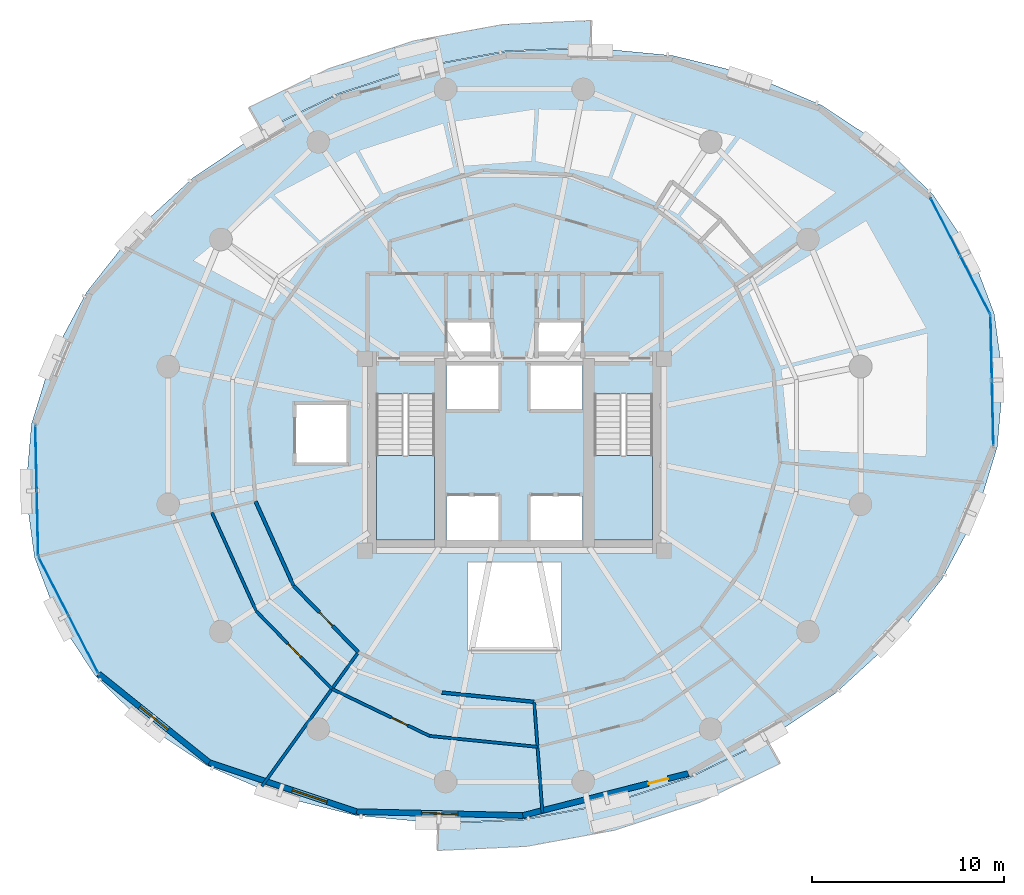
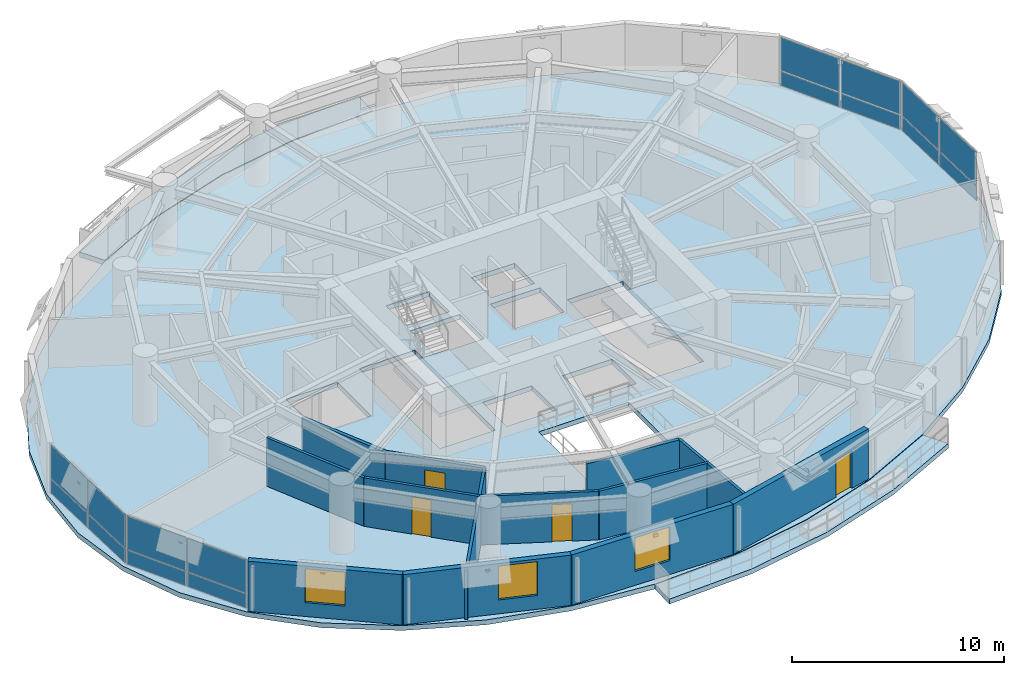
# One storey, part 9 of 15: 16 plates, 13 walls, 5 slabs, 4 doors, 3 windows, 7 openings, 6 elements without a shape of their own.
"""IFC4 building model written with IfcOpenShell, lengths in metres."""

from ifc_helpers import new_model, si_unit, direction, frame, frame_2d, origin, origin_2d, place, context, subcontext, project, spatial, polyline, rectangle, outline, extrude, material, layer, layer_set, type_object, element, fill, aggregate, save


model = new_model("IFC4")

# Units and contexts
model_context = context("Model", 3, precision=1e-05, world=origin(), true_north=direction((0.0, 1.0)))
body_context = subcontext(model_context, "Body", "Model", "MODEL_VIEW")
ifc_project = project(units=[si_unit("LENGTHUNIT", "METRE"), si_unit("AREAUNIT", "SQUARE_METRE"), si_unit("VOLUMEUNIT", "CUBIC_METRE"), si_unit("PLANEANGLEUNIT", "RADIAN"), si_unit("MASSUNIT", "GRAM", prefix="KILO"), si_unit("THERMODYNAMICTEMPERATUREUNIT", "KELVIN"), si_unit("POWERUNIT", "WATT")], contexts=[model_context])

# Site, building, storey
site_placement = place(None, origin())
site = spatial("IfcSite", under=ifc_project, at=site_placement, CompositionType="ELEMENT")
building_placement = place(site_placement, origin())
building = spatial("IfcBuilding", under=site, at=building_placement, Name="Ocrelia Relay Tower", CompositionType="ELEMENT")
storey_placement = place(building_placement, frame((0.0, 0.0, 93.800048828125)))
storey = spatial("IfcBuildingStorey", under=building, at=storey_placement, Name="L21", CompositionType="ELEMENT", Elevation=93.800048828125)

# Curtain wall, plates
ifc_material_1 = material(Name="Aluminium and solar-control low-E glass", Category="aluminium")
ifc_layer_1 = layer(ifc_material_1, 0.179931640625, Name="Aluminium and solar-control low-E glass")
ifc_layer_set_1 = layer_set([ifc_layer_1], Name="Aluminium and solar-control low-E glass")
curtain_wall_type = type_object("IfcCurtainWallType", Name="CW-SYS-Z2-SWIT", PredefinedType="NOTDEFINED", material=ifc_layer_set_1)
curtain_wall_1_placement = place(storey_placement, origin())
curtain_wall_1 = element("IfcCurtainWall", 1, at=curtain_wall_1_placement, inside=storey, type_object=curtain_wall_type, Name="L21 Elliptical Tower Curtain Wall Bay 01", PredefinedType="NOTDEFINED")
ifc_material_2 = material(Name="Clear double-glazed low-E glass", Category="glass")
ifc_layer_2 = layer(ifc_material_2, 0.031982421875, Name="Clear double-glazed low-E glass")
ifc_layer_set_2 = layer_set([ifc_layer_2], Name="Clear double-glazed low-E glass")
plate_type = type_object("IfcPlateType", Name="CW-SYS-Z2-SWIT-PNL", PredefinedType="CURTAIN_PANEL", material=ifc_layer_set_2)
plate_1_placement = place(storey_placement, frame((58.017578125, 33.846435546875, 0.059814453125), z_axis=(0.0, 0.0, 1.0), x_axis=(-0.457400894292, 0.889260604042, 0.0)))
plate_1 = element("IfcPlate", 2, at=plate_1_placement, type_object=plate_type, Name="CW-Z2 panel 1.1", PredefinedType="CURTAIN_PANEL", context=body_context, shape_type="SweptSolid", body=[
    extrude(rectangle(XDim=3.33447265625, YDim=0.031982421875, at=origin_2d()), origin(), (0.0, 0.0, 1.0), 0.81005859375),
])
plate_2_placement = place(storey_placement, frame((58.017578125, 33.846435546875, 0.93017578125), z_axis=(0.0, 0.0, 1.0), x_axis=(-0.457400894292, 0.889260604042, 0.0)))
plate_2 = element("IfcPlate", 3, at=plate_2_placement, type_object=plate_type, Name="CW-Z2 panel 1.2", PredefinedType="CURTAIN_PANEL", context=body_context, shape_type="SweptSolid", body=[
    extrude(rectangle(XDim=3.33447265625, YDim=0.031982421875, at=origin_2d()), origin(), (0.0, 0.0, 1.0), 1.909912109375),
])
plate_3_placement = place(storey_placement, frame((56.46044921875, 36.8740234375, 0.059814453125), z_axis=(0.0, 0.0, 1.0), x_axis=(-0.457400894292, 0.889260604042, 0.0)))
plate_3 = element("IfcPlate", 4, at=plate_3_placement, type_object=plate_type, Name="CW-Z2 panel 2.1", PredefinedType="CURTAIN_PANEL", context=body_context, shape_type="SweptSolid", body=[
    extrude(rectangle(XDim=3.33447265625, YDim=0.031982421875, at=origin_2d()), origin(), (0.0, 0.0, 1.0), 0.81005859375),
])
plate_4_placement = place(storey_placement, frame((56.46044921875, 36.8740234375, 0.93017578125), z_axis=(0.0, 0.0, 1.0), x_axis=(-0.457400894292, 0.889260604042, 0.0)))
plate_4 = element("IfcPlate", 5, at=plate_4_placement, type_object=plate_type, Name="CW-Z2 panel 2.2", PredefinedType="CURTAIN_PANEL", context=body_context, shape_type="SweptSolid", body=[
    extrude(rectangle(XDim=3.33447265625, YDim=0.031982421875, at=origin_2d()), origin(), (0.0, 0.0, 1.0), 1.909912109375),
])
aggregate(curtain_wall_1, [plate_1, plate_2, plate_3, plate_4])

curtain_wall_2_placement = place(storey_placement, origin())
curtain_wall_2 = element("IfcCurtainWall", 6, at=curtain_wall_2_placement, inside=storey, type_object=curtain_wall_type, Name="L21 Elliptical Tower Curtain Wall Bay 09", PredefinedType="NOTDEFINED")
plate_5_placement = place(storey_placement, frame((9.07275390625, 24.8388671875, 0.059814453125), z_axis=(0.0, 0.0, 1.0), x_axis=(0.02235783737, -0.999750032312, 0.0)))
plate_5 = element("IfcPlate", 7, at=plate_5_placement, type_object=plate_type, Name="CW-Z2 panel 1.1", PredefinedType="CURTAIN_PANEL", context=body_context, shape_type="SweptSolid", body=[
    extrude(rectangle(XDim=3.33447265625, YDim=0.031982421875, at=origin_2d()), origin(), (0.0, 0.0, 1.0), 0.81005859375),
])
plate_6_placement = place(storey_placement, frame((9.07275390625, 24.8388671875, 0.93017578125), z_axis=(0.0, 0.0, 1.0), x_axis=(0.02235783737, -0.999750032312, 0.0)))
plate_6 = element("IfcPlate", 8, at=plate_6_placement, type_object=plate_type, Name="CW-Z2 panel 1.2", PredefinedType="CURTAIN_PANEL", context=body_context, shape_type="SweptSolid", body=[
    extrude(rectangle(XDim=3.33447265625, YDim=0.031982421875, at=origin_2d()), origin(), (0.0, 0.0, 1.0), 1.909912109375),
])
plate_7_placement = place(storey_placement, frame((9.14892578125, 21.435302734375, 0.059814453125), z_axis=(0.0, 0.0, 1.0), x_axis=(0.02235783737, -0.999750032312, 0.0)))
plate_7 = element("IfcPlate", 9, at=plate_7_placement, type_object=plate_type, Name="CW-Z2 panel 2.1", PredefinedType="CURTAIN_PANEL", context=body_context, shape_type="SweptSolid", body=[
    extrude(rectangle(XDim=3.33447265625, YDim=0.031982421875, at=origin_2d()), origin(), (0.0, 0.0, 1.0), 0.81005859375),
])
plate_8_placement = place(storey_placement, frame((9.14892578125, 21.435302734375, 0.93017578125), z_axis=(0.0, 0.0, 1.0), x_axis=(0.02235783737, -0.999750032312, 0.0)))
plate_8 = element("IfcPlate", 10, at=plate_8_placement, type_object=plate_type, Name="CW-Z2 panel 2.2", PredefinedType="CURTAIN_PANEL", context=body_context, shape_type="SweptSolid", body=[
    extrude(rectangle(XDim=3.33447265625, YDim=0.031982421875, at=origin_2d()), origin(), (0.0, 0.0, 1.0), 1.909912109375),
])
aggregate(curtain_wall_2, [plate_5, plate_6, plate_7, plate_8])

curtain_wall_3_placement = place(storey_placement, origin())
curtain_wall_3 = element("IfcCurtainWall", 11, at=curtain_wall_3_placement, inside=storey, type_object=curtain_wall_type, Name="L21 Elliptical Tower Curtain Wall Bay 10", PredefinedType="NOTDEFINED")
plate_9_placement = place(storey_placement, frame((9.982421875, 18.153564453125, 0.059814453125), z_axis=(0.0, 0.0, 1.0), x_axis=(0.457400894292, -0.889260604042, 0.0)))
plate_9 = element("IfcPlate", 12, at=plate_9_placement, type_object=plate_type, Name="CW-Z2 panel 1.1", PredefinedType="CURTAIN_PANEL", context=body_context, shape_type="SweptSolid", body=[
    extrude(rectangle(XDim=3.33447265625, YDim=0.031982421875, at=origin_2d()), origin(), (0.0, 0.0, 1.0), 0.81005859375),
])
plate_10_placement = place(storey_placement, frame((9.982421875, 18.153564453125, 0.93017578125), z_axis=(0.0, 0.0, 1.0), x_axis=(0.457400894292, -0.889260604042, 0.0)))
plate_10 = element("IfcPlate", 13, at=plate_10_placement, type_object=plate_type, Name="CW-Z2 panel 1.2", PredefinedType="CURTAIN_PANEL", context=body_context, shape_type="SweptSolid", body=[
    extrude(rectangle(XDim=3.33447265625, YDim=0.031982421875, at=origin_2d()), origin(), (0.0, 0.0, 1.0), 1.909912109375),
])
plate_11_placement = place(storey_placement, frame((11.53955078125, 15.1259765625, 0.059814453125), z_axis=(0.0, 0.0, 1.0), x_axis=(0.457400894292, -0.889260604042, 0.0)))
plate_11 = element("IfcPlate", 14, at=plate_11_placement, type_object=plate_type, Name="CW-Z2 panel 2.1", PredefinedType="CURTAIN_PANEL", context=body_context, shape_type="SweptSolid", body=[
    extrude(rectangle(XDim=3.33447265625, YDim=0.031982421875, at=origin_2d()), origin(), (0.0, 0.0, 1.0), 0.81005859375),
])
plate_12_placement = place(storey_placement, frame((11.53955078125, 15.1259765625, 0.93017578125), z_axis=(0.0, 0.0, 1.0), x_axis=(0.457400894292, -0.889260604042, 0.0)))
plate_12 = element("IfcPlate", 15, at=plate_12_placement, type_object=plate_type, Name="CW-Z2 panel 2.2", PredefinedType="CURTAIN_PANEL", context=body_context, shape_type="SweptSolid", body=[
    extrude(rectangle(XDim=3.33447265625, YDim=0.031982421875, at=origin_2d()), origin(), (0.0, 0.0, 1.0), 1.909912109375),
])
aggregate(curtain_wall_3, [plate_9, plate_10, plate_11, plate_12])

curtain_wall_4_placement = place(storey_placement, origin())
curtain_wall_4 = element("IfcCurtainWall", 16, at=curtain_wall_4_placement, inside=storey, type_object=curtain_wall_type, Name="L21 Elliptical Tower Curtain Wall Bay 18", PredefinedType="NOTDEFINED")
plate_13_placement = place(storey_placement, frame((58.92724609375, 27.1611328125, 0.059814453125), z_axis=(0.0, 0.0, 1.0), x_axis=(-0.02235783737, 0.999750032312, 0.0)))
plate_13 = element("IfcPlate", 17, at=plate_13_placement, type_object=plate_type, Name="CW-Z2 panel 1.1", PredefinedType="CURTAIN_PANEL", context=body_context, shape_type="SweptSolid", body=[
    extrude(rectangle(XDim=3.33447265625, YDim=0.031982421875, at=origin_2d()), origin(), (0.0, 0.0, 1.0), 0.81005859375),
])
plate_14_placement = place(storey_placement, frame((58.92724609375, 27.1611328125, 0.93017578125), z_axis=(0.0, 0.0, 1.0), x_axis=(-0.02235783737, 0.999750032312, 0.0)))
plate_14 = element("IfcPlate", 18, at=plate_14_placement, type_object=plate_type, Name="CW-Z2 panel 1.2", PredefinedType="CURTAIN_PANEL", context=body_context, shape_type="SweptSolid", body=[
    extrude(rectangle(XDim=3.33447265625, YDim=0.031982421875, at=origin_2d()), origin(), (0.0, 0.0, 1.0), 1.909912109375),
])
plate_15_placement = place(storey_placement, frame((58.85107421875, 30.564697265625, 0.059814453125), z_axis=(0.0, 0.0, 1.0), x_axis=(-0.02235783737, 0.999750032312, 0.0)))
plate_15 = element("IfcPlate", 19, at=plate_15_placement, type_object=plate_type, Name="CW-Z2 panel 2.1", PredefinedType="CURTAIN_PANEL", context=body_context, shape_type="SweptSolid", body=[
    extrude(rectangle(XDim=3.33447265625, YDim=0.031982421875, at=origin_2d()), origin(), (0.0, 0.0, 1.0), 0.81005859375),
])
plate_16_placement = place(storey_placement, frame((58.85107421875, 30.564697265625, 0.93017578125), z_axis=(0.0, 0.0, 1.0), x_axis=(-0.02235783737, 0.999750032312, 0.0)))
plate_16 = element("IfcPlate", 20, at=plate_16_placement, type_object=plate_type, Name="CW-Z2 panel 2.2", PredefinedType="CURTAIN_PANEL", context=body_context, shape_type="SweptSolid", body=[
    extrude(rectangle(XDim=3.33447265625, YDim=0.031982421875, at=origin_2d()), origin(), (0.0, 0.0, 1.0), 1.909912109375),
])
aggregate(curtain_wall_4, [plate_13, plate_14, plate_15, plate_16])

# Slabs
ifc_material_3 = material(Name="Precast concrete C40/50", Category="concrete")
ifc_layer_3 = layer(ifc_material_3, 0.280029296875, Name="Precast concrete C40/50")
ifc_layer_set_3 = layer_set([ifc_layer_3], Name="Precast concrete C40/50")
slab_type_1 = type_object("IfcSlabType", Name="SL-BALC-280", PredefinedType="FLOOR", material=ifc_layer_set_3)
slab_1_placement = place(storey_placement, frame((0.0, 0.0, -0.280029296875)))
element("IfcSlab", 21, at=slab_1_placement, inside=storey, type_object=slab_type_1, Name="L21 Planted Loggia Balcony B1", PredefinedType="FLOOR", context=body_context, shape_type="SweptSolid", body=[
    extrude(outline(polyline([(37.973388671875, 46.235595703125), (35.756103515625, 46.1337890625), (33.5390625, 46.031982421875), (29.118896484375, 45.219970703125), (24.8466796875, 43.82421875), (22.849609375, 42.85595703125), (20.8525390625, 41.887451171875), (20.15771484375, 43.09521484375), (22.241455078125, 44.105712890625), (24.3251953125, 45.1162109375), (28.77587890625, 46.5703125), (33.380859375, 47.416015625), (35.694091796875, 47.5224609375), (38.007568359375, 47.628662109375), (37.973388671875, 46.235595703125)])), origin(), (0.0, 0.0, 1.0), 0.280029296875),
])
slab_2_placement = place(storey_placement, frame((0.0, 0.0, -0.280029296875)))
element("IfcSlab", 22, at=slab_2_placement, inside=storey, type_object=slab_type_1, Name="L21 Planted Loggia Balcony B2", PredefinedType="FLOOR", context=body_context, shape_type="SweptSolid", body=[
    extrude(outline(polyline([(30.026611328125, 5.764404296875), (32.24365234375, 5.8662109375), (34.4609375, 5.968017578125), (38.881103515625, 6.780029296875), (43.1533203125, 8.17578125), (45.150390625, 9.14404296875), (47.1474609375, 10.112548828125), (47.84228515625, 8.90478515625), (45.758544921875, 7.894287109375), (43.6748046875, 6.8837890625), (39.22412109375, 5.4296875), (34.619140625, 4.583984375), (32.305908203125, 4.477783203125), (29.992431640625, 4.371337890625), (30.026611328125, 5.764404296875)])), origin(), (0.0, 0.0, 1.0), 0.280029296875),
])
ifc_material_4 = material(Name="Concrete C50/60", Category="concrete")
ifc_layer_4 = layer(ifc_material_4, 0.280029296875, Name="Concrete C50/60")
ifc_layer_set_4 = layer_set([ifc_layer_4], Name="Concrete C50/60")
slab_type_2 = type_object("IfcSlabType", Name="SL-FLR-280", PredefinedType="FLOOR", material=ifc_layer_set_4)
slab_3_placement = place(storey_placement, frame((0.0, 0.0, -0.280029296875)))
element("IfcSlab", 23, at=slab_3_placement, inside=storey, type_object=slab_type_2, Name="L21 Elliptical Tower Floor Slab", PredefinedType="FLOOR", context=body_context, shape_type="SweptSolid", body=[
    extrude(outline(polyline([(59.006103515625, 32.350830078125), (57.77978515625, 35.586669921875), (55.831298828125, 38.531494140625), (53.218994140625, 41.09521484375), (50.02294921875, 43.20068359375), (46.340087890625, 44.783203125), (42.2822265625, 45.795166015625), (37.97265625, 46.20556640625), (33.54248046875, 46.001953125), (29.126220703125, 45.19091796875), (24.85791015625, 43.79638671875), (20.867431640625, 41.861328125), (17.276123046875, 39.4443359375), (14.19287109375, 36.618896484375), (11.711181640625, 33.470703125), (9.906982421875, 30.095458984375), (8.8349609375, 26.595947265625), (8.52734375, 23.078125), (8.993896484375, 19.649169921875), (10.22021484375, 16.413330078125), (12.168701171875, 13.468505859375), (14.781005859375, 10.90478515625), (17.97705078125, 8.79931640625), (21.659912109375, 7.216796875), (25.7177734375, 6.204833984375), (30.02734375, 5.79443359375), (34.45751953125, 5.998046875), (38.873779296875, 6.80908203125), (43.14208984375, 8.20361328125), (47.132568359375, 10.138671875), (50.723876953125, 12.5556640625), (53.80712890625, 15.381103515625), (56.288818359375, 18.529296875), (58.093017578125, 21.904541015625), (59.1650390625, 25.404052734375), (59.47265625, 28.921875), (59.006103515625, 32.350830078125)]), holes=[polyline([(26.81005859375, 28.14990234375), (26.81005859375, 20.550048828125), (29.85009765625, 20.550048828125), (29.85009765625, 28.14990234375), (26.81005859375, 28.14990234375)]), polyline([(38.159912109375, 28.14990234375), (38.159912109375, 20.550048828125), (41.199951171875, 20.550048828125), (41.199951171875, 28.14990234375), (38.159912109375, 28.14990234375)]), polyline([(30.4599609375, 20.550048828125), (33.159912109375, 20.550048828125), (33.159912109375, 22.85009765625), (30.4599609375, 22.85009765625), (30.4599609375, 20.550048828125)]), polyline([(34.840087890625, 20.550048828125), (37.5400390625, 20.550048828125), (37.5400390625, 22.85009765625), (34.840087890625, 22.85009765625), (34.840087890625, 20.550048828125)]), polyline([(30.4599609375, 27.35009765625), (33.159912109375, 27.35009765625), (33.159912109375, 29.64990234375), (30.4599609375, 29.64990234375), (30.4599609375, 27.35009765625)]), polyline([(34.840087890625, 27.35009765625), (37.5400390625, 27.35009765625), (37.5400390625, 29.64990234375), (34.840087890625, 29.64990234375), (34.840087890625, 27.35009765625)]), polyline([(30.5, 30.10009765625), (32.85009765625, 30.10009765625), (32.85009765625, 32.0), (30.5, 32.0), (30.5, 30.10009765625)]), polyline([(35.14990234375, 30.10009765625), (37.5, 30.10009765625), (37.5, 32.0), (35.14990234375, 32.0), (35.14990234375, 30.10009765625)]), polyline([(22.550048828125, 24.5), (25.35009765625, 24.5), (25.35009765625, 27.699951171875), (22.550048828125, 27.699951171875), (22.550048828125, 24.5)]), polyline([(31.550048828125, 14.800048828125), (36.449951171875, 14.800048828125), (36.449951171875, 19.39990234375), (31.550048828125, 19.39990234375), (31.550048828125, 14.800048828125)])]), origin(), (0.0, 0.0, 1.0), 0.280029296875),
])

# Stair, slab
stair_type = type_object("IfcStairType", Name="ST-DL-1420-R167", PredefinedType="HALF_TURN_STAIR", material=ifc_material_4)
stair_1_placement = place(storey_placement, origin())
stair_1 = element("IfcStair", 24, at=stair_1_placement, inside=storey, type_object=stair_type, Name="L21 West Core Exit Stair ST1", PredefinedType="HALF_TURN_STAIR")
ifc_layer_5 = layer(ifc_material_4, 0.199951171875, Name="Concrete C50/60")
ifc_layer_set_5 = layer_set([ifc_layer_5], Name="Concrete C50/60")
slab_type_3 = type_object("IfcSlabType", Name="SL-LANDING-200", PredefinedType="LANDING", material=ifc_layer_set_5)
slab_4_placement = place(storey_placement, frame((0.0, 0.0, 1.800048828125)))
slab_4 = element("IfcSlab", 25, at=slab_4_placement, type_object=slab_type_3, Name="ST1 landing 1", PredefinedType="LANDING", context=body_context, shape_type="SweptSolid", body=[
    extrude(outline(polyline([(26.81005859375, 24.9599609375), (26.81005859375, 20.550048828125), (29.85009765625, 20.550048828125), (29.85009765625, 24.9599609375), (26.81005859375, 24.9599609375)])), origin(), (0.0, 0.0, 1.0), 0.199951171875),
])
aggregate(stair_1, [slab_4])

stair_2_placement = place(storey_placement, origin())
stair_2 = element("IfcStair", 26, at=stair_2_placement, inside=storey, type_object=stair_type, Name="L21 East Core Exit Stair ST2", PredefinedType="HALF_TURN_STAIR")
slab_5_placement = place(storey_placement, frame((0.0, 0.0, 1.800048828125)))
slab_5 = element("IfcSlab", 27, at=slab_5_placement, type_object=slab_type_3, Name="ST2 landing 1", PredefinedType="LANDING", context=body_context, shape_type="SweptSolid", body=[
    extrude(outline(polyline([(38.159912109375, 24.9599609375), (38.159912109375, 20.550048828125), (41.199951171875, 20.550048828125), (41.199951171875, 24.9599609375), (38.159912109375, 24.9599609375)])), origin(), (0.0, 0.0, 1.0), 0.199951171875),
])
aggregate(stair_2, [slab_5])

# Wall
ifc_material_5 = material(Name="Gypsum Fireboard Partition EI60", Category="gypsum")
ifc_layer_6 = layer(ifc_material_5, 0.179931640625, Name="Gypsum Fireboard Partition EI60")
ifc_layer_set_6 = layer_set([ifc_layer_6], Name="Gypsum Fireboard Partition EI60")
wall_type_1 = type_object("IfcWallType", Name="W-CORR-EI60-180", PredefinedType="PARTITIONING", material=ifc_layer_set_6)
wall_1_placement = place(storey_placement, frame((20.50830078125, 22.573486328125, 0.0), z_axis=(0.0, 0.0, 1.0), x_axis=(0.410730020243, -0.911757012845, 0.0)))
element("IfcWall", 28, at=wall_1_placement, inside=storey, type_object=wall_type_1, Name="L21 Optical Routing Office B Corridor Partition 1", PredefinedType="PARTITIONING", context=body_context, shape_type="SweptSolid", body=[
    extrude(rectangle(XDim=4.834228515625, YDim=0.179931640625, at=frame_2d((2.4169921875, 0.0))), origin(), (0.0, 0.0, 1.0), 2.800048828125),
])

# Wall, opening, door
wall_2_placement = place(storey_placement, frame((22.493896484375, 18.165771484375, 0.0), z_axis=(0.0, 0.0, 1.0), x_axis=(0.697779031199, -0.716313076538, 0.0)))
wall_2 = element("IfcWall", 29, at=wall_2_placement, inside=storey, type_object=wall_type_1, Name="L21 Optical Routing Office B Corridor Partition 2", PredefinedType="PARTITIONING", context=body_context, shape_type="SweptSolid", body=[
    extrude(rectangle(XDim=4.834228515625, YDim=0.179931640625, at=frame_2d((2.4169921875, 0.0))), origin(), (0.0, 0.0, 1.0), 2.800048828125),
])
opening_1_placement = place(wall_2_placement, frame((1.917236328125, 0.0, 0.0)))
opening_1 = element("IfcOpeningElement", 30, at=opening_1_placement, cuts=wall_2, Name="Opening D-RM100", PredefinedType="OPENING", context=body_context, shape_type="SweptSolid", body=[
    extrude(rectangle(XDim=1.0, YDim=2.14990234375, at=frame_2d((0.5, 1.074951171875))), frame((0.0, 0.10009765625, 0.0), z_axis=(0.0, -1.0, 0.0), x_axis=(1.0, 0.0, 0.0)), (0.0, 0.0, 1.0), 0.199951171875),
])
ifc_material_6 = material(Name="Acoustic oak veneer fire door", Category="wood")
door_type_1 = type_object("IfcDoorType", Name="DR-ROOM-FD60-1000", OperationType="NOTDEFINED", PredefinedType="DOOR", material=ifc_material_6)
door_1_placement = place(opening_1_placement, origin())
door_1 = element("IfcDoor", 31, at=door_1_placement, inside=storey, type_object=door_type_1, Name="L21 Optical Routing Office B Entrance Door", OperationType="SINGLE_SWING_RIGHT", OverallHeight=2.14990234375, OverallWidth=1.0, PredefinedType="DOOR", context=body_context, shape_type="SweptSolid", body=[
    extrude(rectangle(XDim=1.0, YDim=2.14990234375, at=frame_2d((0.5, 1.074951171875))), frame((0.0, 0.02490234375, 0.0), z_axis=(0.0, -1.0, 0.0), x_axis=(1.0, 0.0, 0.0)), (0.0, 0.0, 1.0), 0.050048828125),
])
fill(opening_1, door_1)

# Wall
wall_3_placement = place(storey_placement, frame((30.221435546875, 12.6025390625, 0.0), z_axis=(0.0, 0.0, 1.0), x_axis=(0.994972982965, -0.100143712578, 0.0)))
element("IfcWall", 32, at=wall_3_placement, inside=storey, type_object=wall_type_1, Name="L21 Peering Systems Office C Corridor Partition 2", PredefinedType="PARTITIONING", context=body_context, shape_type="SweptSolid", body=[
    extrude(rectangle(XDim=4.83447265625, YDim=0.179931640625, at=frame_2d((2.417236328125, 0.0))), origin(), (0.0, 0.0, 1.0), 2.800048828125),
])

# Wall, opening, window
ifc_material_7 = material(Name="Precast concrete C40/50 with oxide terracotta", Category="masonry")
ifc_layer_7 = layer(ifc_material_7, 0.300048828125, Name="Precast concrete C40/50 with oxide terracotta")
ifc_layer_set_7 = layer_set([ifc_layer_7], Name="Precast concrete C40/50 with oxide terracotta")
wall_type_2 = type_object("IfcWallType", Name="W-EXT-TERR-300", PredefinedType="SOLIDWALL", material=ifc_layer_set_7)
wall_4_placement = place(storey_placement, frame((12.334228515625, 13.581298828125, 0.0), z_axis=(0.0, 0.0, 1.0), x_axis=(0.780103663784, -0.625650280708, 0.0)))
wall_4 = element("IfcWall", 33, at=wall_4_placement, inside=storey, type_object=wall_type_2, Name="L21 Oxide Terracotta Facade Wall 11", PredefinedType="SOLIDWALL", context=body_context, shape_type="SweptSolid", body=[
    extrude(rectangle(XDim=7.38330078125, YDim=0.300048828125, at=frame_2d((3.691650390625, 0.0))), origin(), (0.0, 0.0, 1.0), 2.89990234375),
])
opening_2_placement = place(wall_4_placement, frame((2.741943359375, 0.0, 0.800048828125)))
opening_2 = element("IfcOpeningElement", 34, at=opening_2_placement, cuts=wall_4, Name="Opening W-06", PredefinedType="OPENING", context=body_context, shape_type="SweptSolid", body=[
    extrude(rectangle(XDim=1.89990234375, YDim=1.949951171875, at=frame_2d((0.949951171875, 0.97509765625))), frame((0.0, 0.16015625, 0.0), z_axis=(0.0, -1.0, 0.0), x_axis=(1.0, 0.0, 0.0)), (0.0, 0.0, 1.0), 0.320068359375),
])
window_type = type_object("IfcWindowType", Name="WIN-Z2-1900x2100", PartitioningType="DOUBLE_PANEL_VERTICAL", PredefinedType="WINDOW", material=ifc_material_2)
window_1_placement = place(opening_2_placement, origin())
window_1 = element("IfcWindow", 35, at=window_1_placement, inside=storey, type_object=window_type, Name="L21 Facade Module Window 11", OverallHeight=1.949951171875, OverallWidth=1.89990234375, PartitioningType="SINGLE_PANEL", PredefinedType="WINDOW", context=body_context, shape_type="SweptSolid", body=[
    extrude(rectangle(XDim=1.89990234375, YDim=1.949951171875, at=frame_2d((0.949951171875, 0.97509765625))), frame((0.0, 0.030029296875, 0.0), z_axis=(0.0, -1.0, 0.0), x_axis=(1.0, 0.0, 0.0)), (0.0, 0.0, 1.0), 0.06005859375),
])
fill(opening_2, window_1)

wall_5_placement = place(storey_placement, frame((18.093994140625, 8.9619140625, 0.0), z_axis=(0.0, 0.0, 1.0), x_axis=(0.948496147273, -0.316788665531, 0.0)))
wall_5 = element("IfcWall", 36, at=wall_5_placement, inside=storey, type_object=wall_type_2, Name="L21 Oxide Terracotta Facade Wall 12", PredefinedType="SOLIDWALL", context=body_context, shape_type="SweptSolid", body=[
    extrude(rectangle(XDim=8.09521484375, YDim=0.300048828125, at=frame_2d((4.047607421875, 0.0))), origin(), (0.0, 0.0, 1.0), 2.89990234375),
])
opening_3_placement = place(wall_5_placement, frame((4.580078125, 0.0, 0.800048828125)))
opening_3 = element("IfcOpeningElement", 37, at=opening_3_placement, cuts=wall_5, Name="Opening W-06", PredefinedType="OPENING", context=body_context, shape_type="SweptSolid", body=[
    extrude(rectangle(XDim=1.89990234375, YDim=1.949951171875, at=frame_2d((0.949951171875, 0.97509765625))), frame((0.0, 0.16015625, 0.0), z_axis=(0.0, -1.0, 0.0), x_axis=(1.0, 0.0, 0.0)), (0.0, 0.0, 1.0), 0.320068359375),
])
window_2_placement = place(opening_3_placement, origin())
window_2 = element("IfcWindow", 38, at=window_2_placement, inside=storey, type_object=window_type, Name="L21 Facade Module Window 12", OverallHeight=1.949951171875, OverallWidth=1.89990234375, PartitioningType="SINGLE_PANEL", PredefinedType="WINDOW", context=body_context, shape_type="SweptSolid", body=[
    extrude(rectangle(XDim=1.89990234375, YDim=1.949951171875, at=frame_2d((0.949951171875, 0.97509765625))), frame((0.0, 0.030029296875, 0.0), z_axis=(0.0, -1.0, 0.0), x_axis=(1.0, 0.0, 0.0)), (0.0, 0.0, 1.0), 0.06005859375),
])
fill(opening_3, window_2)

wall_6_placement = place(storey_placement, frame((25.772216796875, 6.3974609375, 0.0), z_axis=(0.0, 0.0, 1.0), x_axis=(0.999734193594, -0.023055198078, 0.0)))
wall_6 = element("IfcWall", 39, at=wall_6_placement, inside=storey, type_object=wall_type_2, Name="L21 Oxide Terracotta Facade Wall 13", PredefinedType="SOLIDWALL", context=body_context, shape_type="SweptSolid", body=[
    extrude(rectangle(XDim=8.672607421875, YDim=0.300048828125, at=frame_2d((4.33642578125, 0.0))), origin(), (0.0, 0.0, 1.0), 2.89990234375),
])
opening_4_placement = place(wall_6_placement, frame((3.385986328125, 0.0, 0.800048828125)))
opening_4 = element("IfcOpeningElement", 40, at=opening_4_placement, cuts=wall_6, Name="Opening W-06", PredefinedType="OPENING", context=body_context, shape_type="SweptSolid", body=[
    extrude(rectangle(XDim=1.89990234375, YDim=1.949951171875, at=frame_2d((0.949951171875, 0.97509765625))), frame((0.0, 0.16015625, 0.0), z_axis=(0.0, -1.0, 0.0), x_axis=(1.0, 0.0, 0.0)), (0.0, 0.0, 1.0), 0.320068359375),
])
window_3_placement = place(opening_4_placement, origin())
window_3 = element("IfcWindow", 41, at=window_3_placement, inside=storey, type_object=window_type, Name="L21 Facade Module Window 13", OverallHeight=1.949951171875, OverallWidth=1.89990234375, PartitioningType="SINGLE_PANEL", PredefinedType="WINDOW", context=body_context, shape_type="SweptSolid", body=[
    extrude(rectangle(XDim=1.89990234375, YDim=1.949951171875, at=frame_2d((0.949951171875, 0.97509765625))), frame((0.0, 0.030029296875, 0.0), z_axis=(0.0, -1.0, 0.0), x_axis=(1.0, 0.0, 0.0)), (0.0, 0.0, 1.0), 0.06005859375),
])
fill(opening_4, window_3)

# Wall, opening, door
wall_7_placement = place(storey_placement, frame((34.442626953125, 6.197509765625, 0.0), z_axis=(0.0, 0.0, 1.0), x_axis=(0.969231185193, 0.246152208297, 0.0)))
wall_7 = element("IfcWall", 42, at=wall_7_placement, inside=storey, type_object=wall_type_2, Name="L21 Oxide Terracotta Facade Wall 14", PredefinedType="SOLIDWALL", context=body_context, shape_type="SweptSolid", body=[
    extrude(rectangle(XDim=8.890625, YDim=0.300048828125, at=frame_2d((4.4453125, 0.0))), origin(), (0.0, 0.0, 1.0), 2.89990234375),
])
opening_5_placement = place(wall_7_placement, frame((6.75, 0.0, 0.0)))
opening_5 = element("IfcOpeningElement", 43, at=opening_5_placement, cuts=wall_7, Name="Opening DB-105", PredefinedType="OPENING", context=body_context, shape_type="SweptSolid", body=[
    extrude(rectangle(XDim=1.050048828125, YDim=2.14990234375, at=frame_2d((0.52490234375, 1.074951171875))), frame((0.0, 0.16015625, 0.0), z_axis=(0.0, -1.0, 0.0), x_axis=(1.0, 0.0, 0.0)), (0.0, 0.0, 1.0), 0.320068359375),
])
ifc_material_8 = material(Name="Thermally broken aluminium and clear glass", Category="aluminium")
door_type_2 = type_object("IfcDoorType", Name="DR-BALC-1050", OperationType="NOTDEFINED", PredefinedType="DOOR", material=ifc_material_8)
door_2_placement = place(opening_5_placement, origin())
door_2 = element("IfcDoor", 44, at=door_2_placement, inside=storey, type_object=door_type_2, Name="L21 Planted Loggia Balcony Door B2", OperationType="SINGLE_SWING_LEFT", OverallHeight=2.14990234375, OverallWidth=1.050048828125, PredefinedType="DOOR", context=body_context, shape_type="SweptSolid", body=[
    extrude(rectangle(XDim=1.050048828125, YDim=2.14990234375, at=frame_2d((0.52490234375, 1.074951171875))), frame((0.0, 0.02490234375, 0.0), z_axis=(0.0, -1.0, 0.0), x_axis=(1.0, 0.0, 0.0)), (0.0, 0.0, 1.0), 0.050048828125),
])
fill(opening_5, door_2)

# Walls
ifc_material_9 = material(Name="Acoustic Fireboard Partition EI60", Category="gypsum")
ifc_layer_8 = layer(ifc_material_9, 0.14990234375, Name="Acoustic Fireboard Partition EI60")
ifc_layer_set_8 = layer_set([ifc_layer_8], Name="Acoustic Fireboard Partition EI60")
wall_type_3 = type_object("IfcWallType", Name="W-PART-150", PredefinedType="PARTITIONING", material=ifc_layer_set_8)
wall_8_placement = place(storey_placement, frame((25.8671875, 14.702880859375, 0.0), z_axis=(0.0, 0.0, 1.0), x_axis=(-0.584250909088, -0.811573086808, 0.0)))
element("IfcWall", 45, at=wall_8_placement, inside=storey, type_object=wall_type_3, Name="L21 Optical Routing Office B Radial Partition", PredefinedType="PARTITIONING", context=body_context, shape_type="SweptSolid", body=[
    extrude(rectangle(XDim=8.604736328125, YDim=0.14990234375, at=frame_2d((4.30224609375, 0.0))), origin(), (0.0, 0.0, 1.0), 2.800048828125),
])
wall_9_placement = place(storey_placement, frame((18.230712890625, 21.9951171875, 0.0), z_axis=(0.0, 0.0, 1.0), x_axis=(0.4107275493, -0.911758125955, 0.0)))
element("IfcWall", 46, at=wall_9_placement, inside=storey, type_object=wall_type_3, Name="L21 Perimeter Optical Routing Office B Mid-Ring Partition 1", PredefinedType="PARTITIONING", context=body_context, shape_type="SweptSolid", body=[
    extrude(rectangle(XDim=5.650390625, YDim=0.14990234375, at=frame_2d((2.8251953125, 0.0))), origin(), (0.0, 0.0, 1.0), 2.800048828125),
])

# Wall, opening, door
wall_10_placement = place(storey_placement, frame((20.551513671875, 16.84326171875, 0.0), z_axis=(0.0, 0.0, 1.0), x_axis=(0.697778338801, -0.71631375102, 0.0)))
wall_10 = element("IfcWall", 47, at=wall_10_placement, inside=storey, type_object=wall_type_3, Name="L21 Perimeter Optical Routing Office B Mid-Ring Partition 2", PredefinedType="PARTITIONING", context=body_context, shape_type="SweptSolid", body=[
    extrude(rectangle(XDim=5.650634765625, YDim=0.14990234375, at=frame_2d((2.8251953125, 0.0))), origin(), (0.0, 0.0, 1.0), 2.800048828125),
])
opening_6_placement = place(wall_10_placement, frame((2.350341796875, 0.0, 0.0)))
opening_6 = element("IfcOpeningElement", 48, at=opening_6_placement, cuts=wall_10, Name="Opening D-RM95", PredefinedType="OPENING", context=body_context, shape_type="SweptSolid", body=[
    extrude(rectangle(XDim=0.949951171875, YDim=2.14990234375, at=frame_2d((0.47509765625, 1.074951171875))), frame((0.0, 0.0849609375, 0.0), z_axis=(0.0, -1.0, 0.0), x_axis=(1.0, 0.0, 0.0)), (0.0, 0.0, 1.0), 0.169921875),
])
door_type_3 = type_object("IfcDoorType", Name="DR-ROOM-950", OperationType="NOTDEFINED", PredefinedType="DOOR", material=ifc_material_6)
door_3_placement = place(opening_6_placement, origin())
door_3 = element("IfcDoor", 49, at=door_3_placement, inside=storey, type_object=door_type_3, Name="L21 Perimeter Optical Routing Office B Connecting Door", OperationType="SINGLE_SWING_LEFT", OverallHeight=2.14990234375, OverallWidth=0.949951171875, PredefinedType="DOOR", context=body_context, shape_type="SweptSolid", body=[
    extrude(rectangle(XDim=0.949951171875, YDim=2.14990234375, at=frame_2d((0.47509765625, 1.074951171875))), frame((0.0, 0.02490234375, 0.0), z_axis=(0.0, -1.0, 0.0), x_axis=(1.0, 0.0, 0.0)), (0.0, 0.0, 1.0), 0.050048828125),
])
fill(opening_6, door_3)

# Wall
wall_11_placement = place(storey_placement, frame((35.031494140625, 12.118408203125, 0.0), z_axis=(0.0, 0.0, 1.0), x_axis=(0.074122710033, -0.997249128281, 0.0)))
element("IfcWall", 50, at=wall_11_placement, inside=storey, type_object=wall_type_3, Name="L21 Peering Systems Office C Radial Partition", PredefinedType="PARTITIONING", context=body_context, shape_type="SweptSolid", body=[
    extrude(rectangle(XDim=5.803466796875, YDim=0.14990234375, at=frame_2d((2.90185546875, 0.0))), origin(), (0.0, 0.0, 1.0), 2.800048828125),
])

# Wall, opening, door
wall_12_placement = place(storey_placement, frame((24.494384765625, 12.795654296875, 0.0), z_axis=(0.0, 0.0, 1.0), x_axis=(0.900696832222, -0.434448174614, 0.0)))
wall_12 = element("IfcWall", 51, at=wall_12_placement, inside=storey, type_object=wall_type_3, Name="L21 Perimeter Peering Systems Office C Mid-Ring Partition 1", PredefinedType="PARTITIONING", context=body_context, shape_type="SweptSolid", body=[
    extrude(rectangle(XDim=5.650390625, YDim=0.14990234375, at=frame_2d((2.8251953125, 0.0))), origin(), (0.0, 0.0, 1.0), 2.800048828125),
])
opening_7_placement = place(wall_12_placement, frame((3.435302734375, 0.0, 0.0)))
opening_7 = element("IfcOpeningElement", 52, at=opening_7_placement, cuts=wall_12, Name="Opening D-RM95", PredefinedType="OPENING", context=body_context, shape_type="SweptSolid", body=[
    extrude(rectangle(XDim=0.949951171875, YDim=2.14990234375, at=frame_2d((0.47509765625, 1.074951171875))), frame((0.0, 0.0849609375, 0.0), z_axis=(0.0, -1.0, 0.0), x_axis=(1.0, 0.0, 0.0)), (0.0, 0.0, 1.0), 0.169921875),
])
door_4_placement = place(opening_7_placement, origin())
door_4 = element("IfcDoor", 53, at=door_4_placement, inside=storey, type_object=door_type_3, Name="L21 Perimeter Peering Systems Office C Connecting Door", OperationType="SINGLE_SWING_LEFT", OverallHeight=2.14990234375, OverallWidth=0.949951171875, PredefinedType="DOOR", context=body_context, shape_type="SweptSolid", body=[
    extrude(rectangle(XDim=0.949951171875, YDim=2.14990234375, at=frame_2d((0.47509765625, 1.074951171875))), frame((0.0, 0.02490234375, 0.0), z_axis=(0.0, -1.0, 0.0), x_axis=(1.0, 0.0, 0.0)), (0.0, 0.0, 1.0), 0.050048828125),
])
fill(opening_7, door_4)

# Wall
wall_13_placement = place(storey_placement, frame((29.583740234375, 10.3408203125, 0.0), z_axis=(0.0, 0.0, 1.0), x_axis=(0.994967646776, -0.100196715862, 0.0)))
element("IfcWall", 54, at=wall_13_placement, inside=storey, type_object=wall_type_3, Name="L21 Perimeter Peering Systems Office C Mid-Ring Partition 2", PredefinedType="PARTITIONING", context=body_context, shape_type="SweptSolid", body=[
    extrude(rectangle(XDim=5.650390625, YDim=0.14990234375, at=frame_2d((2.8251953125, 0.0))), origin(), (0.0, 0.0, 1.0), 2.800048828125),
])

save(model, "model.ifc")
